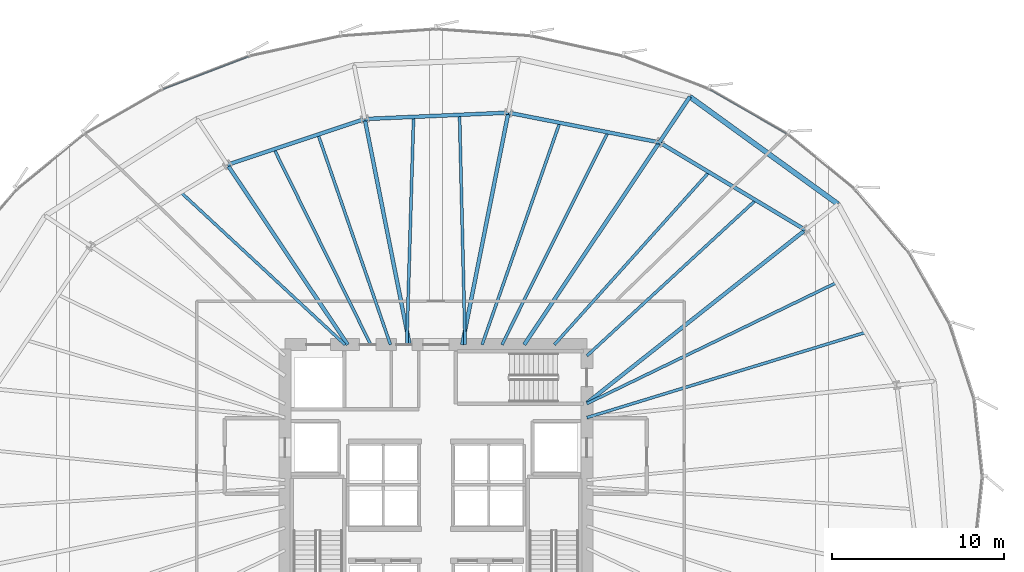
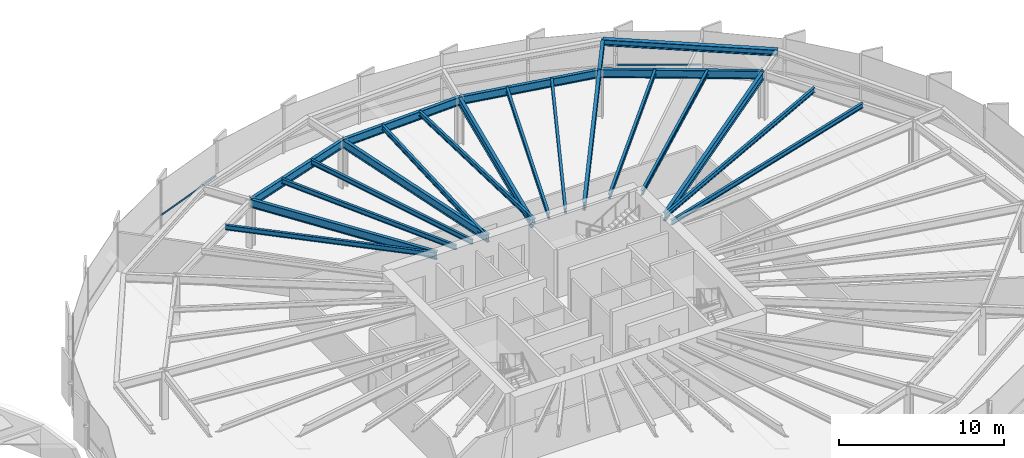
# One storey, part 18 of 38: 22 beams, 2 members, 2 elements without a shape of their own.
"""IFC4 building model written with IfcOpenShell, lengths in metres."""

from ifc_helpers import new_model, si_unit, direction, frame, origin, origin_2d, place, context, subcontext, project, spatial, hollow_rectangle, i_section, extrude, source, transform, mapped, material, layer, layer_set, material_profile, profile_set, type_object, element, aggregate, save


model = new_model("IFC4")

# Units and contexts
model_context = context("Model", 3, precision=1e-05, world=origin(), true_north=direction((0.0, 1.0)))
body_context = subcontext(model_context, "Body", "Model", "MODEL_VIEW")
ifc_project = project(units=[si_unit("LENGTHUNIT", "METRE"), si_unit("AREAUNIT", "SQUARE_METRE"), si_unit("VOLUMEUNIT", "CUBIC_METRE"), si_unit("PLANEANGLEUNIT", "RADIAN"), si_unit("MASSUNIT", "GRAM", prefix="KILO"), si_unit("THERMODYNAMICTEMPERATUREUNIT", "KELVIN")], contexts=[model_context])

# Site, building, storey
site_placement = place(None, origin())
site = spatial("IfcSite", under=ifc_project, at=site_placement, CompositionType="ELEMENT")
building_placement = place(site_placement, origin())
building = spatial("IfcBuilding", under=site, at=building_placement, Name="Kethvar Cultural Tower", CompositionType="ELEMENT")
storey_placement = place(building_placement, frame((0.0, 0.0, 29.60009765625)))
storey = spatial("IfcBuildingStorey", under=building, at=storey_placement, Name="L06", CompositionType="ELEMENT", Elevation=29.60009765625)

# Beams
ifc_material_1 = material(Name="Steel S355J2", Category="steel")
ifc_material_profile_1 = material_profile(ifc_material_1, i_section(OverallWidth=0.219970703125, OverallDepth=0.60009765625, WebThickness=0.011962890625, FlangeThickness=0.01904296875, FilletRadius=0.02392578125, at=origin_2d()), Name="Steel S355J2 — IPE600")
ifc_profile_set_1 = profile_set([ifc_material_profile_1], Name="Steel S355J2 — IPE600")
beam_type_1 = type_object("IfcBeamType", Name="BM-IPE600", PredefinedType="BEAM", material=ifc_profile_set_1)
shared_shape_1 = source(origin(), body_context, "Body", "SweptSolid", [
    extrude(i_section(OverallWidth=0.219970703125, OverallDepth=0.60009765625, WebThickness=0.011962890625, FlangeThickness=0.01904296875, FilletRadius=0.02392578125, at=origin_2d()), origin(), (0.0, 0.0, 1.0), 16.248779296875),
])
beam_1_placement = place(storey_placement, frame((55.60009765625, 32.10009765625, 3.247802734375), z_axis=(0.783831288624, 0.620973840813, 0.0), x_axis=(-0.620973840813, 0.783831288624, 0.0)))
element("IfcBeam", 1, at=beam_1_placement, inside=storey, type_object=beam_type_1, Name="L06 Primary Radial Beam RB-02", PredefinedType="BEAM", context=body_context, shape_type="MappedRepresentation", body=[
    mapped(shared_shape_1, transform((0.0, 0.0, 0.0), scale=1.0)),
])
shared_shape_2 = source(origin(), body_context, "Body", "SweptSolid", [
    extrude(i_section(OverallWidth=0.219970703125, OverallDepth=0.60009765625, WebThickness=0.011962890625, FlangeThickness=0.01904296875, FilletRadius=0.02392578125, at=origin_2d()), origin(), (0.0, 0.0, 1.0), 14.18359375),
])
beam_2_placement = place(storey_placement, frame((51.945068359375, 35.5, 3.247802734375), z_axis=(0.55556584065, 0.831472547174, 0.0), x_axis=(-0.831472547174, 0.55556584065, 0.0)))
element("IfcBeam", 2, at=beam_2_placement, inside=storey, type_object=beam_type_1, Name="L06 Primary Radial Beam RB-03", PredefinedType="BEAM", context=body_context, shape_type="MappedRepresentation", body=[
    mapped(shared_shape_2, transform((0.0, 0.0, 0.0), scale=1.0)),
])
shared_shape_3 = source(origin(), body_context, "Body", "SweptSolid", [
    extrude(i_section(OverallWidth=0.219970703125, OverallDepth=0.60009765625, WebThickness=0.011962890625, FlangeThickness=0.01904296875, FilletRadius=0.02392578125, at=origin_2d()), origin(), (0.0, 0.0, 1.0), 3.2001953125),
])
beam_3_placement = place(storey_placement, frame((59.824951171875, 47.293212890625, 3.247802734375), z_axis=(0.555544970406, 0.831486491686, 0.0), x_axis=(-0.831486491686, 0.555544970406, 0.0)))
element("IfcBeam", 3, at=beam_3_placement, inside=storey, type_object=beam_type_1, Name="L06 Perimeter Cantilever Beam RC-03", PredefinedType="BEAM", context=body_context, shape_type="MappedRepresentation", body=[
    mapped(shared_shape_3, transform((0.0, 0.0, 0.0), scale=1.0)),
])
shared_shape_4 = source(origin(), body_context, "Body", "SweptSolid", [
    extrude(i_section(OverallWidth=0.219970703125, OverallDepth=0.60009765625, WebThickness=0.011962890625, FlangeThickness=0.01904296875, FilletRadius=0.02392578125, at=origin_2d()), origin(), (0.0, 0.0, 1.0), 13.791015625),
])
beam_4_placement = place(storey_placement, frame((48.33154296875, 35.5, 3.247802734375), z_axis=(0.195104916429, 0.980782377281, 0.0), x_axis=(-0.980782377281, 0.195104916429, 0.0)))
element("IfcBeam", 4, at=beam_4_placement, inside=storey, type_object=beam_type_1, Name="L06 Primary Radial Beam RB-04", PredefinedType="BEAM", context=body_context, shape_type="MappedRepresentation", body=[
    mapped(shared_shape_4, transform((0.0, 0.0, 0.0), scale=1.0)),
])
shared_shape_5 = source(origin(), body_context, "Body", "SweptSolid", [
    extrude(i_section(OverallWidth=0.219970703125, OverallDepth=0.60009765625, WebThickness=0.011962890625, FlangeThickness=0.01904296875, FilletRadius=0.02392578125, at=origin_2d()), origin(), (0.0, 0.0, 1.0), 13.41357421875),
])
beam_5_placement = place(storey_placement, frame((45.268310546875, 35.5, 3.247802734375), z_axis=(-0.195079960025, 0.980787341474, 0.0), x_axis=(-0.980787341474, -0.195079960025, 0.0)))
element("IfcBeam", 5, at=beam_5_placement, inside=storey, type_object=beam_type_1, Name="L06 Primary Radial Beam RB-05", PredefinedType="BEAM", context=body_context, shape_type="MappedRepresentation", body=[
    mapped(shared_shape_5, transform((0.0, 0.0, 0.0), scale=1.0)),
])
shared_shape_6 = source(origin(), body_context, "Body", "SweptSolid", [
    extrude(i_section(OverallWidth=0.219970703125, OverallDepth=0.60009765625, WebThickness=0.011962890625, FlangeThickness=0.01904296875, FilletRadius=0.02392578125, at=origin_2d()), origin(), (0.0, 0.0, 1.0), 12.615966796875),
])
beam_6_placement = place(storey_placement, frame((41.655029296875, 35.5, 3.247802734375), z_axis=(-0.555570723257, 0.831469284736, 0.0), x_axis=(-0.831469284736, -0.555570723257, 0.0)))
element("IfcBeam", 6, at=beam_6_placement, inside=storey, type_object=beam_type_1, Name="L06 Primary Radial Beam RB-06", PredefinedType="BEAM", context=body_context, shape_type="MappedRepresentation", body=[
    mapped(shared_shape_6, transform((0.0, 0.0, 0.0), scale=1.0)),
])
ifc_material_profile_2 = material_profile(ifc_material_1, i_section(OverallWidth=0.169921875, OverallDepth=0.360107421875, WebThickness=0.008056640625, FlangeThickness=0.0126953125, FilletRadius=0.01806640625, at=origin_2d()), Name="Steel S355J2 — IPE360")
ifc_profile_set_2 = profile_set([ifc_material_profile_2], Name="Steel S355J2 — IPE360")
beam_type_2 = type_object("IfcBeamType", Name="BM-J360", PredefinedType="JOIST", material=ifc_profile_set_2)
shared_shape_7 = source(origin(), body_context, "Body", "SweptSolid", [
    extrude(i_section(OverallWidth=0.169921875, OverallDepth=0.360107421875, WebThickness=0.008056640625, FlangeThickness=0.0126953125, FilletRadius=0.01806640625, at=origin_2d()), origin(), (0.0, 0.0, 1.0), 16.990478515625),
])
beam_7_placement = place(storey_placement, frame((55.60009765625, 31.25, 3.367919921875), z_axis=(0.956287408668, 0.292428439149, 0.0), x_axis=(-0.292428439149, 0.956287408668, 0.0)))
element("IfcBeam", 7, at=beam_7_placement, inside=storey, type_object=beam_type_2, Name="L06 Composite Floor Joist J-01A", PredefinedType="JOIST", context=body_context, shape_type="MappedRepresentation", body=[
    mapped(shared_shape_7, transform((0.0, 0.0, 0.0), scale=1.0)),
])
shared_shape_8 = source(origin(), body_context, "Body", "SweptSolid", [
    extrude(i_section(OverallWidth=0.169921875, OverallDepth=0.360107421875, WebThickness=0.008056640625, FlangeThickness=0.0126953125, FilletRadius=0.01806640625, at=origin_2d()), origin(), (0.0, 0.0, 1.0), 16.163330078125),
])
beam_8_placement = place(storey_placement, frame((55.60009765625, 32.064697265625, 3.367919921875), z_axis=(0.899890099721, 0.436116737151, 0.0), x_axis=(-0.436116737151, 0.899890099721, 0.0)))
element("IfcBeam", 8, at=beam_8_placement, inside=storey, type_object=beam_type_2, Name="L06 Composite Floor Joist J-01B", PredefinedType="JOIST", context=body_context, shape_type="MappedRepresentation", body=[
    mapped(shared_shape_8, transform((0.0, 0.0, 0.0), scale=1.0)),
])
shared_shape_9 = source(origin(), body_context, "Body", "SweptSolid", [
    extrude(i_section(OverallWidth=0.219970703125, OverallDepth=0.60009765625, WebThickness=0.011962890625, FlangeThickness=0.01904296875, FilletRadius=0.02392578125, at=origin_2d()), origin(), (0.0, 0.0, 1.0), 9.924072265625),
])
beam_9_placement = place(storey_placement, frame((68.33642578125, 42.190185546875, 3.247802734375), z_axis=(-0.857664361463, 0.514209921215, 0.0), x_axis=(-0.514209921215, -0.857664361463, 0.0)))
element("IfcBeam", 9, at=beam_9_placement, inside=storey, type_object=beam_type_1, Name="L06 Column Ring Tie Beam CR-02", PredefinedType="BEAM", context=body_context, shape_type="MappedRepresentation", body=[
    mapped(shared_shape_9, transform((0.0, 0.0, 0.0), scale=1.0)),
])
ifc_material_profile_3 = material_profile(ifc_material_1, i_section(OverallWidth=0.300048828125, OverallDepth=0.449951171875, WebThickness=0.013916015625, FlangeThickness=0.02587890625, FilletRadius=0.027099609375, at=origin_2d()), Name="Steel S355J2 — HEB450")
ifc_profile_set_3 = profile_set([ifc_material_profile_3], Name="Steel S355J2 — HEB450")
beam_type_3 = type_object("IfcBeamType", Name="BM-SP450", PredefinedType="SPANDREL", material=ifc_profile_set_3)
shared_shape_10 = source(origin(), body_context, "Body", "SweptSolid", [
    extrude(i_section(OverallWidth=0.300048828125, OverallDepth=0.449951171875, WebThickness=0.013916015625, FlangeThickness=0.02587890625, FilletRadius=0.027099609375, at=origin_2d()), origin(), (0.0, 0.0, 1.0), 10.663818359375),
])
beam_10_placement = place(storey_placement, frame((70.236572265625, 43.6953125, 3.322998046875), z_axis=(-0.809641993713, 0.586924051319, 0.0), x_axis=(-0.586924051319, -0.809641993713, 0.0)))
element("IfcBeam", 10, at=beam_10_placement, inside=storey, type_object=beam_type_3, Name="L06 Perimeter Spandrel Beam SP-02", PredefinedType="SPANDREL", context=body_context, shape_type="MappedRepresentation", body=[
    mapped(shared_shape_10, transform((0.0, 0.0, 0.0), scale=1.0)),
])
shared_shape_11 = source(origin(), body_context, "Body", "SweptSolid", [
    extrude(i_section(OverallWidth=0.169921875, OverallDepth=0.360107421875, WebThickness=0.008056640625, FlangeThickness=0.0126953125, FilletRadius=0.01806640625, at=origin_2d()), origin(), (0.0, 0.0, 1.0), 13.3876953125),
])
beam_11_placement = place(storey_placement, frame((55.60009765625, 34.85009765625, 3.367919921875), z_axis=(0.735175283276, 0.677877055859, 0.0), x_axis=(-0.677877055859, 0.735175283276, 0.0)))
element("IfcBeam", 11, at=beam_11_placement, inside=storey, type_object=beam_type_2, Name="L06 Composite Floor Joist J-02A", PredefinedType="JOIST", context=body_context, shape_type="MappedRepresentation", body=[
    mapped(shared_shape_11, transform((0.0, 0.0, 0.0), scale=1.0)),
])
shared_shape_12 = source(origin(), body_context, "Body", "SweptSolid", [
    extrude(i_section(OverallWidth=0.169921875, OverallDepth=0.360107421875, WebThickness=0.008056640625, FlangeThickness=0.0126953125, FilletRadius=0.01806640625, at=origin_2d()), origin(), (0.0, 0.0, 1.0), 13.508056640625),
])
beam_12_placement = place(storey_placement, frame((53.702392578125, 35.5, 3.367919921875), z_axis=(0.667503553274, 0.744606611821, 0.0), x_axis=(-0.744606611821, 0.667503553274, 0.0)))
element("IfcBeam", 12, at=beam_12_placement, inside=storey, type_object=beam_type_2, Name="L06 Composite Floor Joist J-02B", PredefinedType="JOIST", context=body_context, shape_type="MappedRepresentation", body=[
    mapped(shared_shape_12, transform((0.0, 0.0, 0.0), scale=1.0)),
])
shared_shape_13 = source(origin(), body_context, "Body", "SweptSolid", [
    extrude(i_section(OverallWidth=0.219970703125, OverallDepth=0.60009765625, WebThickness=0.011962890625, FlangeThickness=0.01904296875, FilletRadius=0.02392578125, at=origin_2d()), origin(), (0.0, 0.0, 1.0), 8.9716796875),
])
beam_13_placement = place(storey_placement, frame((59.824951171875, 47.293212890625, 3.247802734375), z_axis=(-0.981173751046, 0.193127083181, 0.0), x_axis=(-0.193127083181, -0.981173751046, 0.0)))
element("IfcBeam", 13, at=beam_13_placement, inside=storey, type_object=beam_type_1, Name="L06 Column Ring Tie Beam CR-03", PredefinedType="BEAM", context=body_context, shape_type="MappedRepresentation", body=[
    mapped(shared_shape_13, transform((0.0, 0.0, 0.0), scale=1.0)),
])
shared_shape_14 = source(origin(), body_context, "Body", "SweptSolid", [
    extrude(i_section(OverallWidth=0.169921875, OverallDepth=0.360107421875, WebThickness=0.008056640625, FlangeThickness=0.0126953125, FilletRadius=0.01806640625, at=origin_2d()), origin(), (0.0, 0.0, 1.0), 13.84130859375),
])
beam_14_placement = place(storey_placement, frame((50.646484375, 35.5, 3.367919921875), z_axis=(0.446889017672, 0.894589406311, 0.0), x_axis=(-0.894589406311, 0.446889017672, 0.0)))
element("IfcBeam", 14, at=beam_14_placement, inside=storey, type_object=beam_type_2, Name="L06 Composite Floor Joist J-03A", PredefinedType="JOIST", context=body_context, shape_type="MappedRepresentation", body=[
    mapped(shared_shape_14, transform((0.0, 0.0, 0.0), scale=1.0)),
])
shared_shape_15 = source(origin(), body_context, "Body", "SweptSolid", [
    extrude(i_section(OverallWidth=0.169921875, OverallDepth=0.360107421875, WebThickness=0.008056640625, FlangeThickness=0.0126953125, FilletRadius=0.01806640625, at=origin_2d()), origin(), (0.0, 0.0, 1.0), 13.70458984375),
])
beam_15_placement = place(storey_placement, frame((49.4921875, 35.5, 3.367919921875), z_axis=(0.330030618422, 0.943970227764, 0.0), x_axis=(-0.943970227764, 0.330030618422, 0.0)))
element("IfcBeam", 15, at=beam_15_placement, inside=storey, type_object=beam_type_2, Name="L06 Composite Floor Joist J-03B", PredefinedType="JOIST", context=body_context, shape_type="MappedRepresentation", body=[
    mapped(shared_shape_15, transform((0.0, 0.0, 0.0), scale=1.0)),
])
shared_shape_16 = source(origin(), body_context, "Body", "SweptSolid", [
    extrude(i_section(OverallWidth=0.219970703125, OverallDepth=0.60009765625, WebThickness=0.011962890625, FlangeThickness=0.01904296875, FilletRadius=0.02392578125, at=origin_2d()), origin(), (0.0, 0.0, 1.0), 8.378662109375),
])
beam_16_placement = place(storey_placement, frame((51.022216796875, 49.02587890625, 3.247802734375), z_axis=(-0.999023890534, -0.04417313825, 0.0), x_axis=(0.04417313825, -0.999023890534, 0.0)))
element("IfcBeam", 16, at=beam_16_placement, inside=storey, type_object=beam_type_1, Name="L06 Column Ring Tie Beam CR-04", PredefinedType="BEAM", context=body_context, shape_type="MappedRepresentation", body=[
    mapped(shared_shape_16, transform((0.0, 0.0, 0.0), scale=1.0)),
])
shared_shape_17 = source(origin(), body_context, "Body", "SweptSolid", [
    extrude(i_section(OverallWidth=0.169921875, OverallDepth=0.360107421875, WebThickness=0.008056640625, FlangeThickness=0.0126953125, FilletRadius=0.01806640625, at=origin_2d()), origin(), (0.0, 0.0, 1.0), 13.40380859375),
])
beam_17_placement = place(storey_placement, frame((48.5, 35.5, 3.367919921875), z_axis=(-0.024170322554, 0.999707855079, 0.0), x_axis=(-0.999707855079, -0.024170322554, 0.0)))
element("IfcBeam", 17, at=beam_17_placement, inside=storey, type_object=beam_type_2, Name="L06 Composite Floor Joist J-04A", PredefinedType="JOIST", context=body_context, shape_type="MappedRepresentation", body=[
    mapped(shared_shape_17, transform((0.0, 0.0, 0.0), scale=1.0)),
])
shared_shape_18 = source(origin(), body_context, "Body", "SweptSolid", [
    extrude(i_section(OverallWidth=0.169921875, OverallDepth=0.360107421875, WebThickness=0.008056640625, FlangeThickness=0.0126953125, FilletRadius=0.01806640625, at=origin_2d()), origin(), (0.0, 0.0, 1.0), 13.287353515625),
])
beam_18_placement = place(storey_placement, frame((45.10009765625, 35.5, 3.367919921875), z_axis=(0.029912529234, 0.999552520178, 0.0), x_axis=(-0.999552520178, 0.029912529234, 0.0)))
element("IfcBeam", 18, at=beam_18_placement, inside=storey, type_object=beam_type_2, Name="L06 Composite Floor Joist J-04B", PredefinedType="JOIST", context=body_context, shape_type="MappedRepresentation", body=[
    mapped(shared_shape_18, transform((0.0, 0.0, 0.0), scale=1.0)),
])
shared_shape_19 = source(origin(), body_context, "Body", "SweptSolid", [
    extrude(i_section(OverallWidth=0.219970703125, OverallDepth=0.60009765625, WebThickness=0.011962890625, FlangeThickness=0.01904296875, FilletRadius=0.02392578125, at=origin_2d()), origin(), (0.0, 0.0, 1.0), 8.437744140625),
])
beam_19_placement = place(storey_placement, frame((42.651611328125, 48.65576171875, 3.247802734375), z_axis=(-0.948772955115, -0.315958667618, 0.0), x_axis=(0.315958667618, -0.948772955115, 0.0)))
element("IfcBeam", 19, at=beam_19_placement, inside=storey, type_object=beam_type_1, Name="L06 Column Ring Tie Beam CR-05", PredefinedType="BEAM", context=body_context, shape_type="MappedRepresentation", body=[
    mapped(shared_shape_19, transform((0.0, 0.0, 0.0), scale=1.0)),
])
shared_shape_20 = source(origin(), body_context, "Body", "SweptSolid", [
    extrude(i_section(OverallWidth=0.169921875, OverallDepth=0.360107421875, WebThickness=0.008056640625, FlangeThickness=0.0126953125, FilletRadius=0.01806640625, at=origin_2d()), origin(), (0.0, 0.0, 1.0), 12.955322265625),
])
beam_20_placement = place(storey_placement, frame((44.148193359375, 35.5, 3.367919921875), z_axis=(-0.325619549533, 0.945500877293, 0.0), x_axis=(-0.945500877293, -0.325619549533, 0.0)))
element("IfcBeam", 20, at=beam_20_placement, inside=storey, type_object=beam_type_2, Name="L06 Composite Floor Joist J-05A", PredefinedType="JOIST", context=body_context, shape_type="MappedRepresentation", body=[
    mapped(shared_shape_20, transform((0.0, 0.0, 0.0), scale=1.0)),
])
shared_shape_21 = source(origin(), body_context, "Body", "SweptSolid", [
    extrude(i_section(OverallWidth=0.169921875, OverallDepth=0.360107421875, WebThickness=0.008056640625, FlangeThickness=0.0126953125, FilletRadius=0.01806640625, at=origin_2d()), origin(), (0.0, 0.0, 1.0), 12.710693359375),
])
beam_21_placement = place(storey_placement, frame((42.996826171875, 35.5, 3.367919921875), z_axis=(-0.442851992051, 0.896594731825, 0.0), x_axis=(-0.896594731825, -0.442851992051, 0.0)))
element("IfcBeam", 21, at=beam_21_placement, inside=storey, type_object=beam_type_2, Name="L06 Composite Floor Joist J-05B", PredefinedType="JOIST", context=body_context, shape_type="MappedRepresentation", body=[
    mapped(shared_shape_21, transform((0.0, 0.0, 0.0), scale=1.0)),
])
shared_shape_22 = source(origin(), body_context, "Body", "SweptSolid", [
    extrude(i_section(OverallWidth=0.169921875, OverallDepth=0.360107421875, WebThickness=0.008056640625, FlangeThickness=0.0126953125, FilletRadius=0.01806640625, at=origin_2d()), origin(), (0.0, 0.0, 1.0), 13.045166015625),
])
beam_22_placement = place(storey_placement, frame((41.5, 35.5, 3.367919921875), z_axis=(-0.732903465528, 0.680332646737, 0.0), x_axis=(-0.680332646737, -0.732903465528, 0.0)))
element("IfcBeam", 22, at=beam_22_placement, inside=storey, type_object=beam_type_2, Name="L06 Composite Floor Joist J-06A", PredefinedType="JOIST", context=body_context, shape_type="MappedRepresentation", body=[
    mapped(shared_shape_22, transform((0.0, 0.0, 0.0), scale=1.0)),
])

# Curtain wall, member
ifc_material_2 = material(Name="Aluminium 6063-T6", Category="aluminium")
ifc_layer = layer(ifc_material_2, 0.179931640625, Name="Aluminium 6063-T6", Category="aluminium")
ifc_layer_set = layer_set([ifc_layer], Name="Aluminium 6063-T6 (180 mm)")
curtain_wall_type = type_object("IfcCurtainWallType", Name="CW-SYS-02-Z1", PredefinedType="NOTDEFINED", material=ifc_layer_set)
curtain_wall_1_placement = place(storey_placement, origin())
curtain_wall_1 = element("IfcCurtainWall", 23, at=curtain_wall_1_placement, inside=storey, type_object=curtain_wall_type, Name="L06 Curtain Wall Run 01", PredefinedType="NOTDEFINED")
ifc_material_profile_4 = material_profile(ifc_material_2, hollow_rectangle(XDim=0.054931640625, YDim=0.1201171875, WallThickness=0.00390625, at=origin_2d()), Name="Aluminium 6063-T6 — RHS120x55x4")
ifc_profile_set_4 = profile_set([ifc_material_profile_4], Name="Aluminium 6063-T6 — RHS120x55x4")
member_type = type_object("IfcMemberType", Name="CW-SYS-02-Z1-TRN", PredefinedType="USERDEFINED", material=ifc_profile_set_4)
shared_shape_23 = source(origin(), body_context, "Body", "SweptSolid", [
    extrude(hollow_rectangle(XDim=0.054931640625, YDim=0.1201171875, WallThickness=0.00390625, at=origin_2d()), origin(), (0.0, 0.0, 1.0), 5.16845703125),
])
member_1_placement = place(storey_placement, frame((67.2431640625, 47.78955078125, 0.949951171875), z_axis=(-0.867273492015, 0.497831989779, 0.0), x_axis=(-0.497831989779, -0.867273492015, 0.0)))
member_1 = element("IfcMember", 24, at=member_1_placement, type_object=member_type, Name="CW-L06-R01 Transom 6", ObjectType="TRANSOM", PredefinedType="USERDEFINED", context=body_context, shape_type="MappedRepresentation", body=[
    mapped(shared_shape_23, transform((0.0, 0.0, 0.0), scale=1.0)),
])
aggregate(curtain_wall_1, [member_1])

curtain_wall_2_placement = place(storey_placement, origin())
curtain_wall_2 = element("IfcCurtainWall", 25, at=curtain_wall_2_placement, inside=storey, type_object=curtain_wall_type, Name="L06 Curtain Wall Run 02", PredefinedType="NOTDEFINED")
shared_shape_24 = source(origin(), body_context, "Body", "SweptSolid", [
    extrude(hollow_rectangle(XDim=0.054931640625, YDim=0.1201171875, WallThickness=0.00390625, at=origin_2d()), origin(), (0.0, 0.0, 1.0), 5.311767578125),
])
member_2_placement = place(storey_placement, frame((35.8681640625, 52.291015625, 0.949951171875), z_axis=(-0.934091061909, -0.357034855529, 0.0), x_axis=(0.357034855529, -0.934091061909, 0.0)))
member_2 = element("IfcMember", 26, at=member_2_placement, type_object=member_type, Name="CW-L06-R02 Transom 6", ObjectType="TRANSOM", PredefinedType="USERDEFINED", context=body_context, shape_type="MappedRepresentation", body=[
    mapped(shared_shape_24, transform((0.0, 0.0, 0.0), scale=1.0)),
])
aggregate(curtain_wall_2, [member_2])

save(model, "model.ifc")
